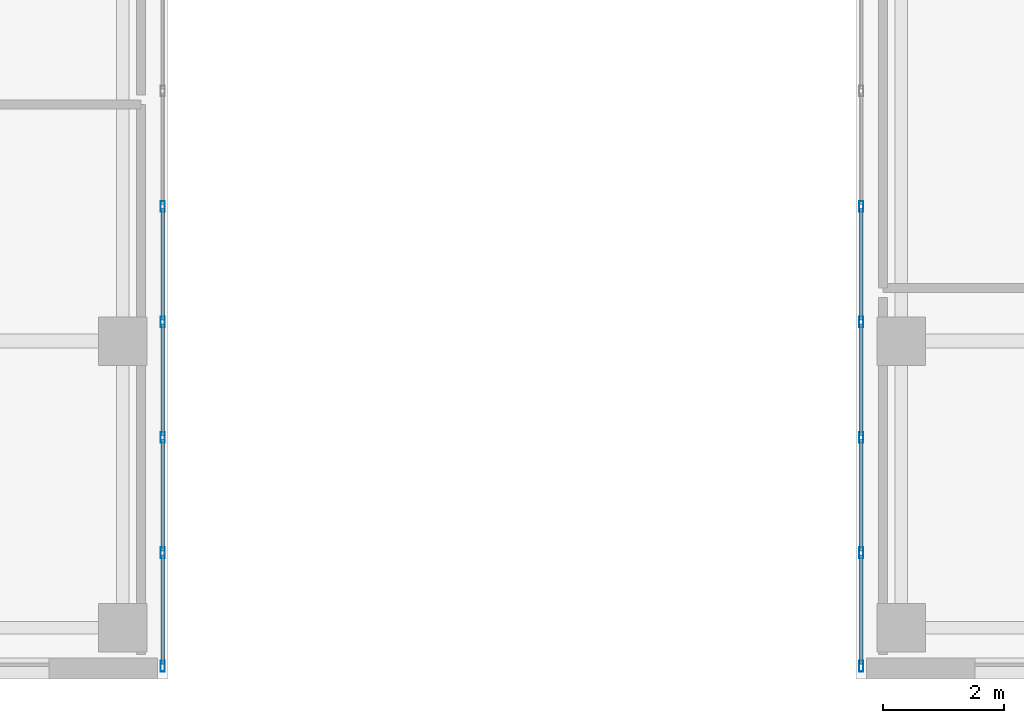
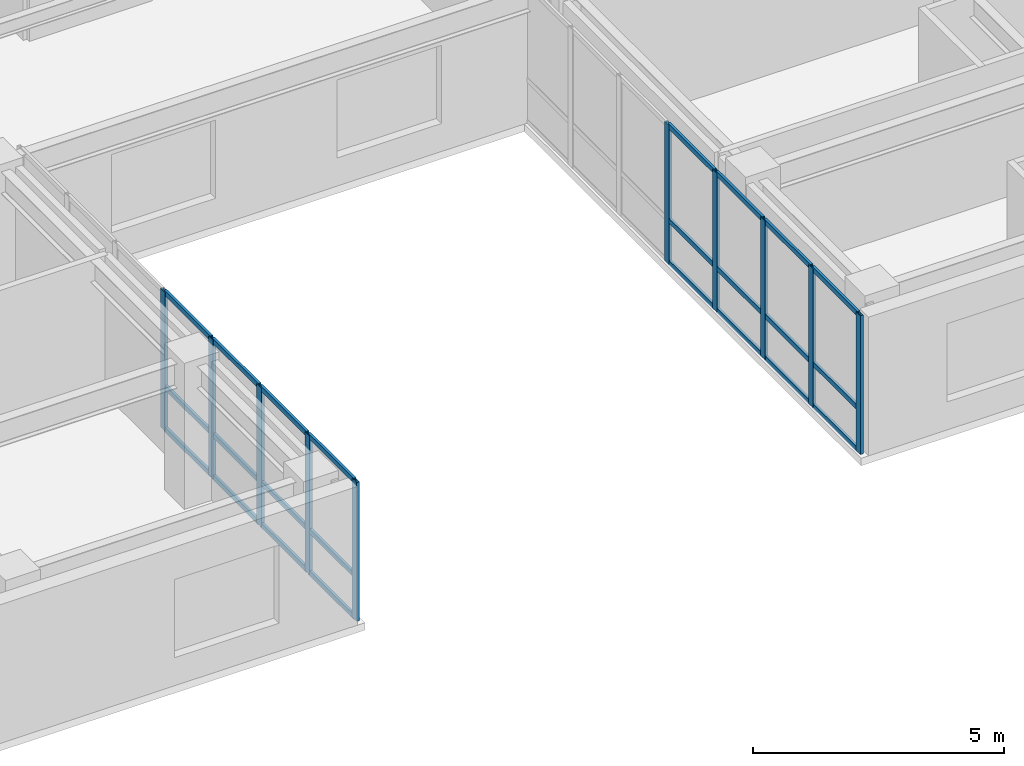
# One storey, part 7 of 24: 34 members, 2 elements without a shape of their own.
"""IFC4 building model written with IfcOpenShell, lengths in metres."""

from ifc_helpers import new_model, si_unit, direction, frame, origin, origin_2d, place, context, subcontext, project, spatial, hollow_rectangle, extrude, source, transform, mapped, material, layer, layer_set, material_profile, profile_set, type_object, type_shapes, element, aggregate, save


model = new_model("IFC4")

# Units and contexts
model_context = context("Model", 3, precision=1e-05, world=origin(), true_north=direction((0.0, 1.0)))
body_context = subcontext(model_context, "Body", "Model", "MODEL_VIEW")
ifc_project = project(units=[si_unit("LENGTHUNIT", "METRE"), si_unit("AREAUNIT", "SQUARE_METRE"), si_unit("VOLUMEUNIT", "CUBIC_METRE"), si_unit("PLANEANGLEUNIT", "RADIAN"), si_unit("MASSUNIT", "GRAM", prefix="KILO")], contexts=[model_context])

# Site, building, storey
site_placement = place(None, origin())
site = spatial("IfcSite", under=ifc_project, at=site_placement, CompositionType="ELEMENT")
building_placement = place(site_placement, origin())
building = spatial("IfcBuilding", under=site, at=building_placement, Name="Tolvann Quenvar Hotel", CompositionType="ELEMENT")
storey_placement = place(building_placement, frame((0.0, 0.0, 157.699951171875)))
storey = spatial("IfcBuildingStorey", under=building, at=storey_placement, Name="L41", CompositionType="ELEMENT", Elevation=157.699951171875)

# Curtain wall, members
ifc_material_1 = material(Name="Thermally broken anodised architectural aluminium 6063-T6 and laminated low-E glass", Category="aluminium")
ifc_layer = layer(ifc_material_1, 0.179931640625)
ifc_layer_set = layer_set([ifc_layer], Name="Thermally broken anodised architectural aluminium 6063-T6 and laminated low-E glass")
curtain_wall_type = type_object("IfcCurtainWallType", Name="CW_SYS_SLOT_03", PredefinedType="USERDEFINED", material=ifc_layer_set)
curtain_wall_1_placement = place(storey_placement, origin())
curtain_wall_1 = element("IfcCurtainWall", 1, at=curtain_wall_1_placement, inside=storey, type_object=curtain_wall_type, Name="Curtain Wall CW-SLOT-03 (CWR-L41-E05)", ObjectType="UNITISED CURTAIN WALL", PredefinedType="USERDEFINED")
ifc_material_2 = material(Name="Anodised architectural aluminium 6063-T6 framing", Category="aluminium")
ifc_material_profile_1 = material_profile(ifc_material_2, hollow_rectangle(XDim=0.070068359375, YDim=0.179931640625, WallThickness=0.00390625, at=origin_2d()), Name="180x70x4RHS")
ifc_profile_set_1 = profile_set([ifc_material_profile_1], Name="Anodised architectural aluminium 6063-T6 framing")
member_type_1 = type_object("IfcMemberType", Name="CW_MULL_180x70", PredefinedType="MULLION", material=ifc_profile_set_1)
shared_shape_1 = source(origin(), body_context, "Body", "SweptSolid", [
    extrude(hollow_rectangle(XDim=0.070068359375, YDim=0.179931640625, WallThickness=0.00390625, at=origin_2d()), origin(), (0.0, 0.0, 1.0), 3.3701171875),
])
type_shapes(member_type_1, [shared_shape_1])
member_1_placement = place(storey_placement, frame((22.7099609375, 2.81005859375, 0.0), z_axis=(0.0, 0.0, 1.0), x_axis=(-1.0, 0.0, 0.0)))
member_1 = element("IfcMember", 2, at=member_1_placement, type_object=member_type_1, Name="CW-SLOT-03 mullion 1", PredefinedType="MULLION", context=body_context, shape_type="MappedRepresentation", body=[
    mapped(shared_shape_1, transform((0.0, 0.0, 0.0), x_axis=(1.0, 0.0, 0.0), y_axis=(0.0, 1.0, 0.0), z_axis=(0.0, 0.0, 1.0), scale=1.0)),
])
member_2_placement = place(storey_placement, frame((22.7099609375, 4.689208984375, 0.0), z_axis=(0.0, 0.0, 1.0), x_axis=(-1.0, 0.0, 0.0)))
member_2 = element("IfcMember", 3, at=member_2_placement, type_object=member_type_1, Name="CW-SLOT-03 mullion 2", PredefinedType="MULLION", context=body_context, shape_type="MappedRepresentation", body=[
    mapped(shared_shape_1, transform((0.0, 0.0, 0.0), x_axis=(1.0, 0.0, 0.0), y_axis=(0.0, 1.0, 0.0), z_axis=(0.0, 0.0, 1.0), scale=1.0)),
])
member_3_placement = place(storey_placement, frame((22.7099609375, 6.603515625, 0.0), z_axis=(0.0, 0.0, 1.0), x_axis=(-1.0, 0.0, 0.0)))
member_3 = element("IfcMember", 4, at=member_3_placement, type_object=member_type_1, Name="CW-SLOT-03 mullion 3", PredefinedType="MULLION", context=body_context, shape_type="MappedRepresentation", body=[
    mapped(shared_shape_1, transform((0.0, 0.0, 0.0), x_axis=(1.0, 0.0, 0.0), y_axis=(0.0, 1.0, 0.0), z_axis=(0.0, 0.0, 1.0), scale=1.0)),
])
member_4_placement = place(storey_placement, frame((22.7099609375, 8.517822265625, 0.0), z_axis=(0.0, 0.0, 1.0), x_axis=(-1.0, 0.0, 0.0)))
member_4 = element("IfcMember", 5, at=member_4_placement, type_object=member_type_1, Name="CW-SLOT-03 mullion 4", PredefinedType="MULLION", context=body_context, shape_type="MappedRepresentation", body=[
    mapped(shared_shape_1, transform((0.0, 0.0, 0.0), x_axis=(1.0, 0.0, 0.0), y_axis=(0.0, 1.0, 0.0), z_axis=(0.0, 0.0, 1.0), scale=1.0)),
])
member_5_placement = place(storey_placement, frame((22.7099609375, 10.43212890625, 0.0), z_axis=(0.0, 0.0, 1.0), x_axis=(-1.0, 0.0, 0.0)))
member_5 = element("IfcMember", 6, at=member_5_placement, type_object=member_type_1, Name="CW-SLOT-03 mullion 5", PredefinedType="MULLION", context=body_context, shape_type="MappedRepresentation", body=[
    mapped(shared_shape_1, transform((0.0, 0.0, 0.0), x_axis=(1.0, 0.0, 0.0), y_axis=(0.0, 1.0, 0.0), z_axis=(0.0, 0.0, 1.0), scale=1.0)),
])

curtain_wall_2_placement = place(storey_placement, origin())
curtain_wall_2 = element("IfcCurtainWall", 7, at=curtain_wall_2_placement, inside=storey, type_object=curtain_wall_type, Name="Curtain Wall CW-SLOT-03 (CWR-L41-E07)", ObjectType="UNITISED CURTAIN WALL", PredefinedType="USERDEFINED")
member_6_placement = place(storey_placement, frame((34.2900390625, 10.43212890625, 0.0), z_axis=(0.0, 0.0, 1.0), x_axis=(1.0, 0.0, 0.0)))
member_6 = element("IfcMember", 8, at=member_6_placement, type_object=member_type_1, Name="CW-SLOT-03 mullion 4", PredefinedType="MULLION", context=body_context, shape_type="MappedRepresentation", body=[
    mapped(shared_shape_1, transform((0.0, 0.0, 0.0), x_axis=(1.0, 0.0, 0.0), y_axis=(0.0, 1.0, 0.0), z_axis=(0.0, 0.0, 1.0), scale=1.0)),
])
member_7_placement = place(storey_placement, frame((34.2900390625, 8.517822265625, 0.0), z_axis=(0.0, 0.0, 1.0), x_axis=(1.0, 0.0, 0.0)))
member_7 = element("IfcMember", 9, at=member_7_placement, type_object=member_type_1, Name="CW-SLOT-03 mullion 5", PredefinedType="MULLION", context=body_context, shape_type="MappedRepresentation", body=[
    mapped(shared_shape_1, transform((0.0, 0.0, 0.0), x_axis=(1.0, 0.0, 0.0), y_axis=(0.0, 1.0, 0.0), z_axis=(0.0, 0.0, 1.0), scale=1.0)),
])
member_8_placement = place(storey_placement, frame((34.2900390625, 6.603515625, 0.0), z_axis=(0.0, 0.0, 1.0), x_axis=(1.0, 0.0, 0.0)))
member_8 = element("IfcMember", 10, at=member_8_placement, type_object=member_type_1, Name="CW-SLOT-03 mullion 6", PredefinedType="MULLION", context=body_context, shape_type="MappedRepresentation", body=[
    mapped(shared_shape_1, transform((0.0, 0.0, 0.0), x_axis=(1.0, 0.0, 0.0), y_axis=(0.0, 1.0, 0.0), z_axis=(0.0, 0.0, 1.0), scale=1.0)),
])
member_9_placement = place(storey_placement, frame((34.2900390625, 4.689208984375, 0.0), z_axis=(0.0, 0.0, 1.0), x_axis=(1.0, 0.0, 0.0)))
member_9 = element("IfcMember", 11, at=member_9_placement, type_object=member_type_1, Name="CW-SLOT-03 mullion 7", PredefinedType="MULLION", context=body_context, shape_type="MappedRepresentation", body=[
    mapped(shared_shape_1, transform((0.0, 0.0, 0.0), x_axis=(1.0, 0.0, 0.0), y_axis=(0.0, 1.0, 0.0), z_axis=(0.0, 0.0, 1.0), scale=1.0)),
])
member_10_placement = place(storey_placement, frame((34.2900390625, 2.81005859375, 0.0), z_axis=(0.0, 0.0, 1.0), x_axis=(1.0, 0.0, 0.0)))
member_10 = element("IfcMember", 12, at=member_10_placement, type_object=member_type_1, Name="CW-SLOT-03 mullion 8", PredefinedType="MULLION", context=body_context, shape_type="MappedRepresentation", body=[
    mapped(shared_shape_1, transform((0.0, 0.0, 0.0), x_axis=(1.0, 0.0, 0.0), y_axis=(0.0, 1.0, 0.0), z_axis=(0.0, 0.0, 1.0), scale=1.0)),
])

# Member
ifc_material_profile_2 = material_profile(ifc_material_2, hollow_rectangle(XDim=0.06005859375, YDim=0.1201171875, WallThickness=0.00341796875, at=origin_2d()), Name="120x60x3.5RHS")
ifc_profile_set_2 = profile_set([ifc_material_profile_2], Name="Anodised architectural aluminium 6063-T6 framing")
member_type_2 = type_object("IfcMemberType", Name="CW_TRAN_120x60", PredefinedType="USERDEFINED", material=ifc_profile_set_2)
shared_shape_2 = source(origin(), body_context, "Body", "SweptSolid", [
    extrude(hollow_rectangle(XDim=0.06005859375, YDim=0.1201171875, WallThickness=0.00341796875, at=origin_2d()), origin(), (0.0, 0.0, 1.0), 1.809326171875),
])
member_11_placement = place(storey_placement, frame((22.7099609375, 2.844970703125, 0.030029296875), z_axis=(0.0, 1.0, 0.0), x_axis=(-1.0, 0.0, 0.0)))
member_11 = element("IfcMember", 13, at=member_11_placement, type_object=member_type_2, Name="CW-SLOT-03 transom 1.1", ObjectType="TRANSOM", PredefinedType="USERDEFINED", context=body_context, shape_type="MappedRepresentation", body=[
    mapped(shared_shape_2, transform((0.0, 0.0, 0.0), x_axis=(1.0, 0.0, 0.0), y_axis=(0.0, 1.0, 0.0), z_axis=(0.0, 0.0, 1.0), scale=1.0)),
])

member_12_placement = place(storey_placement, frame((22.7099609375, 2.844970703125, 1.050048828125), z_axis=(0.0, 1.0, 0.0), x_axis=(-1.0, 0.0, 0.0)))
member_12 = element("IfcMember", 14, at=member_12_placement, type_object=member_type_2, Name="CW-SLOT-03 transom 1.2", ObjectType="TRANSOM", PredefinedType="USERDEFINED", context=body_context, shape_type="MappedRepresentation", body=[
    mapped(shared_shape_2, transform((0.0, 0.0, 0.0), x_axis=(1.0, 0.0, 0.0), y_axis=(0.0, 1.0, 0.0), z_axis=(0.0, 0.0, 1.0), scale=1.0)),
])

member_13_placement = place(storey_placement, frame((22.7099609375, 2.844970703125, 3.340087890625), z_axis=(0.0, 1.0, 0.0), x_axis=(-1.0, 0.0, 0.0)))
member_13 = element("IfcMember", 15, at=member_13_placement, type_object=member_type_2, Name="CW-SLOT-03 transom 1.3", ObjectType="TRANSOM", PredefinedType="USERDEFINED", context=body_context, shape_type="MappedRepresentation", body=[
    mapped(shared_shape_2, transform((0.0, 0.0, 0.0), x_axis=(1.0, 0.0, 0.0), y_axis=(0.0, 1.0, 0.0), z_axis=(0.0, 0.0, 1.0), scale=1.0)),
])

member_14_placement = place(storey_placement, frame((34.2900390625, 4.654296875, 0.030029296875), z_axis=(0.0, -1.0, 0.0), x_axis=(1.0, 0.0, 0.0)))
member_14 = element("IfcMember", 16, at=member_14_placement, type_object=member_type_2, Name="CW-SLOT-03 transom 7.1", ObjectType="TRANSOM", PredefinedType="USERDEFINED", context=body_context, shape_type="MappedRepresentation", body=[
    mapped(shared_shape_2, transform((0.0, 0.0, 0.0), x_axis=(1.0, 0.0, 0.0), y_axis=(0.0, 1.0, 0.0), z_axis=(0.0, 0.0, 1.0), scale=1.0)),
])

member_15_placement = place(storey_placement, frame((34.2900390625, 4.654296875, 1.050048828125), z_axis=(0.0, -1.0, 0.0), x_axis=(1.0, 0.0, 0.0)))
member_15 = element("IfcMember", 17, at=member_15_placement, type_object=member_type_2, Name="CW-SLOT-03 transom 7.2", ObjectType="TRANSOM", PredefinedType="USERDEFINED", context=body_context, shape_type="MappedRepresentation", body=[
    mapped(shared_shape_2, transform((0.0, 0.0, 0.0), x_axis=(1.0, 0.0, 0.0), y_axis=(0.0, 1.0, 0.0), z_axis=(0.0, 0.0, 1.0), scale=1.0)),
])

member_16_placement = place(storey_placement, frame((34.2900390625, 4.654296875, 3.340087890625), z_axis=(0.0, -1.0, 0.0), x_axis=(1.0, 0.0, 0.0)))
member_16 = element("IfcMember", 18, at=member_16_placement, type_object=member_type_2, Name="CW-SLOT-03 transom 7.3", ObjectType="TRANSOM", PredefinedType="USERDEFINED", context=body_context, shape_type="MappedRepresentation", body=[
    mapped(shared_shape_2, transform((0.0, 0.0, 0.0), x_axis=(1.0, 0.0, 0.0), y_axis=(0.0, 1.0, 0.0), z_axis=(0.0, 0.0, 1.0), scale=1.0)),
])

shared_shape_3 = source(origin(), body_context, "Body", "SweptSolid", [
    extrude(hollow_rectangle(XDim=0.06005859375, YDim=0.1201171875, WallThickness=0.00341796875, at=origin_2d()), origin(), (0.0, 0.0, 1.0), 1.84423828125),
])
type_shapes(member_type_2, [shared_shape_2, shared_shape_3])
member_17_placement = place(storey_placement, frame((22.7099609375, 4.724365234375, 0.030029296875), z_axis=(0.0, 1.0, 0.0), x_axis=(-1.0, 0.0, 0.0)))
member_17 = element("IfcMember", 19, at=member_17_placement, type_object=member_type_2, Name="CW-SLOT-03 transom 2.1", ObjectType="TRANSOM", PredefinedType="USERDEFINED", context=body_context, shape_type="MappedRepresentation", body=[
    mapped(shared_shape_3, transform((0.0, 0.0, 0.0), x_axis=(1.0, 0.0, 0.0), y_axis=(0.0, 1.0, 0.0), z_axis=(0.0, 0.0, 1.0), scale=1.0)),
])

member_18_placement = place(storey_placement, frame((22.7099609375, 4.724365234375, 1.050048828125), z_axis=(0.0, 1.0, 0.0), x_axis=(-1.0, 0.0, 0.0)))
member_18 = element("IfcMember", 20, at=member_18_placement, type_object=member_type_2, Name="CW-SLOT-03 transom 2.2", ObjectType="TRANSOM", PredefinedType="USERDEFINED", context=body_context, shape_type="MappedRepresentation", body=[
    mapped(shared_shape_3, transform((0.0, 0.0, 0.0), x_axis=(1.0, 0.0, 0.0), y_axis=(0.0, 1.0, 0.0), z_axis=(0.0, 0.0, 1.0), scale=1.0)),
])

member_19_placement = place(storey_placement, frame((22.7099609375, 4.724365234375, 3.340087890625), z_axis=(0.0, 1.0, 0.0), x_axis=(-1.0, 0.0, 0.0)))
member_19 = element("IfcMember", 21, at=member_19_placement, type_object=member_type_2, Name="CW-SLOT-03 transom 2.3", ObjectType="TRANSOM", PredefinedType="USERDEFINED", context=body_context, shape_type="MappedRepresentation", body=[
    mapped(shared_shape_3, transform((0.0, 0.0, 0.0), x_axis=(1.0, 0.0, 0.0), y_axis=(0.0, 1.0, 0.0), z_axis=(0.0, 0.0, 1.0), scale=1.0)),
])

member_20_placement = place(storey_placement, frame((22.7099609375, 6.638671875, 0.030029296875), z_axis=(0.0, 1.0, 0.0), x_axis=(-1.0, 0.0, 0.0)))
member_20 = element("IfcMember", 22, at=member_20_placement, type_object=member_type_2, Name="CW-SLOT-03 transom 3.1", ObjectType="TRANSOM", PredefinedType="USERDEFINED", context=body_context, shape_type="MappedRepresentation", body=[
    mapped(shared_shape_3, transform((0.0, 0.0, 0.0), x_axis=(1.0, 0.0, 0.0), y_axis=(0.0, 1.0, 0.0), z_axis=(0.0, 0.0, 1.0), scale=1.0)),
])

member_21_placement = place(storey_placement, frame((22.7099609375, 6.638671875, 1.050048828125), z_axis=(0.0, 1.0, 0.0), x_axis=(-1.0, 0.0, 0.0)))
member_21 = element("IfcMember", 23, at=member_21_placement, type_object=member_type_2, Name="CW-SLOT-03 transom 3.2", ObjectType="TRANSOM", PredefinedType="USERDEFINED", context=body_context, shape_type="MappedRepresentation", body=[
    mapped(shared_shape_3, transform((0.0, 0.0, 0.0), x_axis=(1.0, 0.0, 0.0), y_axis=(0.0, 1.0, 0.0), z_axis=(0.0, 0.0, 1.0), scale=1.0)),
])

member_22_placement = place(storey_placement, frame((22.7099609375, 6.638671875, 3.340087890625), z_axis=(0.0, 1.0, 0.0), x_axis=(-1.0, 0.0, 0.0)))
member_22 = element("IfcMember", 24, at=member_22_placement, type_object=member_type_2, Name="CW-SLOT-03 transom 3.3", ObjectType="TRANSOM", PredefinedType="USERDEFINED", context=body_context, shape_type="MappedRepresentation", body=[
    mapped(shared_shape_3, transform((0.0, 0.0, 0.0), x_axis=(1.0, 0.0, 0.0), y_axis=(0.0, 1.0, 0.0), z_axis=(0.0, 0.0, 1.0), scale=1.0)),
])

member_23_placement = place(storey_placement, frame((22.7099609375, 8.552978515625, 0.030029296875), z_axis=(0.0, 1.0, 0.0), x_axis=(-1.0, 0.0, 0.0)))
member_23 = element("IfcMember", 25, at=member_23_placement, type_object=member_type_2, Name="CW-SLOT-03 transom 4.1", ObjectType="TRANSOM", PredefinedType="USERDEFINED", context=body_context, shape_type="MappedRepresentation", body=[
    mapped(shared_shape_3, transform((0.0, 0.0, 0.0), x_axis=(1.0, 0.0, 0.0), y_axis=(0.0, 1.0, 0.0), z_axis=(0.0, 0.0, 1.0), scale=1.0)),
])

member_24_placement = place(storey_placement, frame((22.7099609375, 8.552978515625, 1.050048828125), z_axis=(0.0, 1.0, 0.0), x_axis=(-1.0, 0.0, 0.0)))
member_24 = element("IfcMember", 26, at=member_24_placement, type_object=member_type_2, Name="CW-SLOT-03 transom 4.2", ObjectType="TRANSOM", PredefinedType="USERDEFINED", context=body_context, shape_type="MappedRepresentation", body=[
    mapped(shared_shape_3, transform((0.0, 0.0, 0.0), x_axis=(1.0, 0.0, 0.0), y_axis=(0.0, 1.0, 0.0), z_axis=(0.0, 0.0, 1.0), scale=1.0)),
])

member_25_placement = place(storey_placement, frame((22.7099609375, 8.552978515625, 3.340087890625), z_axis=(0.0, 1.0, 0.0), x_axis=(-1.0, 0.0, 0.0)))
member_25 = element("IfcMember", 27, at=member_25_placement, type_object=member_type_2, Name="CW-SLOT-03 transom 4.3", ObjectType="TRANSOM", PredefinedType="USERDEFINED", context=body_context, shape_type="MappedRepresentation", body=[
    mapped(shared_shape_3, transform((0.0, 0.0, 0.0), x_axis=(1.0, 0.0, 0.0), y_axis=(0.0, 1.0, 0.0), z_axis=(0.0, 0.0, 1.0), scale=1.0)),
])

aggregate(curtain_wall_1, [member_1, member_2, member_3, member_4, member_5, member_11, member_12, member_13, member_17, member_18, member_19, member_20, member_21, member_22, member_23, member_24, member_25])

member_26_placement = place(storey_placement, frame((34.2900390625, 10.397216796875, 0.030029296875), z_axis=(0.0, -1.0, 0.0), x_axis=(1.0, 0.0, 0.0)))
member_26 = element("IfcMember", 28, at=member_26_placement, type_object=member_type_2, Name="CW-SLOT-03 transom 4.1", ObjectType="TRANSOM", PredefinedType="USERDEFINED", context=body_context, shape_type="MappedRepresentation", body=[
    mapped(shared_shape_3, transform((0.0, 0.0, 0.0), x_axis=(1.0, 0.0, 0.0), y_axis=(0.0, 1.0, 0.0), z_axis=(0.0, 0.0, 1.0), scale=1.0)),
])

member_27_placement = place(storey_placement, frame((34.2900390625, 10.397216796875, 1.050048828125), z_axis=(0.0, -1.0, 0.0), x_axis=(1.0, 0.0, 0.0)))
member_27 = element("IfcMember", 29, at=member_27_placement, type_object=member_type_2, Name="CW-SLOT-03 transom 4.2", ObjectType="TRANSOM", PredefinedType="USERDEFINED", context=body_context, shape_type="MappedRepresentation", body=[
    mapped(shared_shape_3, transform((0.0, 0.0, 0.0), x_axis=(1.0, 0.0, 0.0), y_axis=(0.0, 1.0, 0.0), z_axis=(0.0, 0.0, 1.0), scale=1.0)),
])

member_28_placement = place(storey_placement, frame((34.2900390625, 10.397216796875, 3.340087890625), z_axis=(0.0, -1.0, 0.0), x_axis=(1.0, 0.0, 0.0)))
member_28 = element("IfcMember", 30, at=member_28_placement, type_object=member_type_2, Name="CW-SLOT-03 transom 4.3", ObjectType="TRANSOM", PredefinedType="USERDEFINED", context=body_context, shape_type="MappedRepresentation", body=[
    mapped(shared_shape_3, transform((0.0, 0.0, 0.0), x_axis=(1.0, 0.0, 0.0), y_axis=(0.0, 1.0, 0.0), z_axis=(0.0, 0.0, 1.0), scale=1.0)),
])

member_29_placement = place(storey_placement, frame((34.2900390625, 8.48291015625, 0.030029296875), z_axis=(0.0, -1.0, 0.0), x_axis=(1.0, 0.0, 0.0)))
member_29 = element("IfcMember", 31, at=member_29_placement, type_object=member_type_2, Name="CW-SLOT-03 transom 5.1", ObjectType="TRANSOM", PredefinedType="USERDEFINED", context=body_context, shape_type="MappedRepresentation", body=[
    mapped(shared_shape_3, transform((0.0, 0.0, 0.0), x_axis=(1.0, 0.0, 0.0), y_axis=(0.0, 1.0, 0.0), z_axis=(0.0, 0.0, 1.0), scale=1.0)),
])

member_30_placement = place(storey_placement, frame((34.2900390625, 8.48291015625, 1.050048828125), z_axis=(0.0, -1.0, 0.0), x_axis=(1.0, 0.0, 0.0)))
member_30 = element("IfcMember", 32, at=member_30_placement, type_object=member_type_2, Name="CW-SLOT-03 transom 5.2", ObjectType="TRANSOM", PredefinedType="USERDEFINED", context=body_context, shape_type="MappedRepresentation", body=[
    mapped(shared_shape_3, transform((0.0, 0.0, 0.0), x_axis=(1.0, 0.0, 0.0), y_axis=(0.0, 1.0, 0.0), z_axis=(0.0, 0.0, 1.0), scale=1.0)),
])

member_31_placement = place(storey_placement, frame((34.2900390625, 8.48291015625, 3.340087890625), z_axis=(0.0, -1.0, 0.0), x_axis=(1.0, 0.0, 0.0)))
member_31 = element("IfcMember", 33, at=member_31_placement, type_object=member_type_2, Name="CW-SLOT-03 transom 5.3", ObjectType="TRANSOM", PredefinedType="USERDEFINED", context=body_context, shape_type="MappedRepresentation", body=[
    mapped(shared_shape_3, transform((0.0, 0.0, 0.0), x_axis=(1.0, 0.0, 0.0), y_axis=(0.0, 1.0, 0.0), z_axis=(0.0, 0.0, 1.0), scale=1.0)),
])

member_32_placement = place(storey_placement, frame((34.2900390625, 6.568603515625, 0.030029296875), z_axis=(0.0, -1.0, 0.0), x_axis=(1.0, 0.0, 0.0)))
member_32 = element("IfcMember", 34, at=member_32_placement, type_object=member_type_2, Name="CW-SLOT-03 transom 6.1", ObjectType="TRANSOM", PredefinedType="USERDEFINED", context=body_context, shape_type="MappedRepresentation", body=[
    mapped(shared_shape_3, transform((0.0, 0.0, 0.0), x_axis=(1.0, 0.0, 0.0), y_axis=(0.0, 1.0, 0.0), z_axis=(0.0, 0.0, 1.0), scale=1.0)),
])

member_33_placement = place(storey_placement, frame((34.2900390625, 6.568603515625, 1.050048828125), z_axis=(0.0, -1.0, 0.0), x_axis=(1.0, 0.0, 0.0)))
member_33 = element("IfcMember", 35, at=member_33_placement, type_object=member_type_2, Name="CW-SLOT-03 transom 6.2", ObjectType="TRANSOM", PredefinedType="USERDEFINED", context=body_context, shape_type="MappedRepresentation", body=[
    mapped(shared_shape_3, transform((0.0, 0.0, 0.0), x_axis=(1.0, 0.0, 0.0), y_axis=(0.0, 1.0, 0.0), z_axis=(0.0, 0.0, 1.0), scale=1.0)),
])

member_34_placement = place(storey_placement, frame((34.2900390625, 6.568603515625, 3.340087890625), z_axis=(0.0, -1.0, 0.0), x_axis=(1.0, 0.0, 0.0)))
member_34 = element("IfcMember", 36, at=member_34_placement, type_object=member_type_2, Name="CW-SLOT-03 transom 6.3", ObjectType="TRANSOM", PredefinedType="USERDEFINED", context=body_context, shape_type="MappedRepresentation", body=[
    mapped(shared_shape_3, transform((0.0, 0.0, 0.0), x_axis=(1.0, 0.0, 0.0), y_axis=(0.0, 1.0, 0.0), z_axis=(0.0, 0.0, 1.0), scale=1.0)),
])

aggregate(curtain_wall_2, [member_6, member_7, member_8, member_9, member_10, member_26, member_27, member_28, member_29, member_30, member_31, member_32, member_33, member_34, member_14, member_15, member_16])

save(model, "model.ifc")
